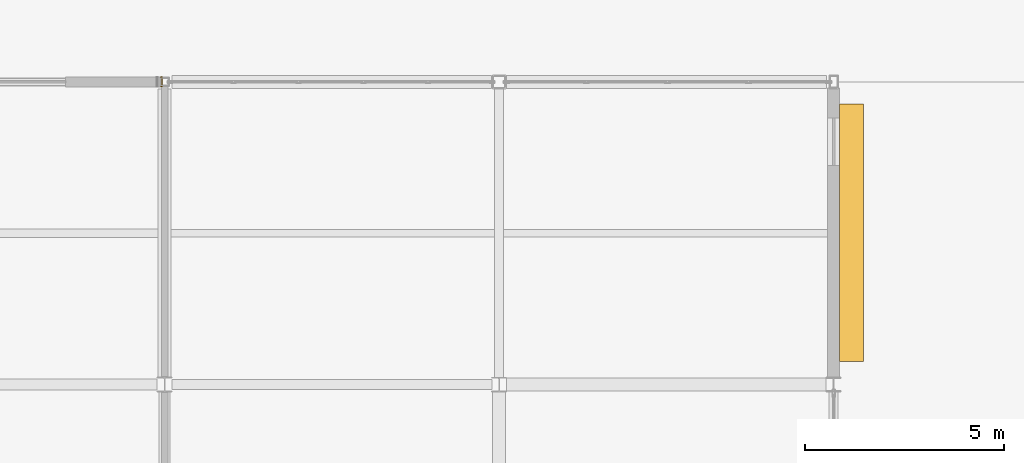
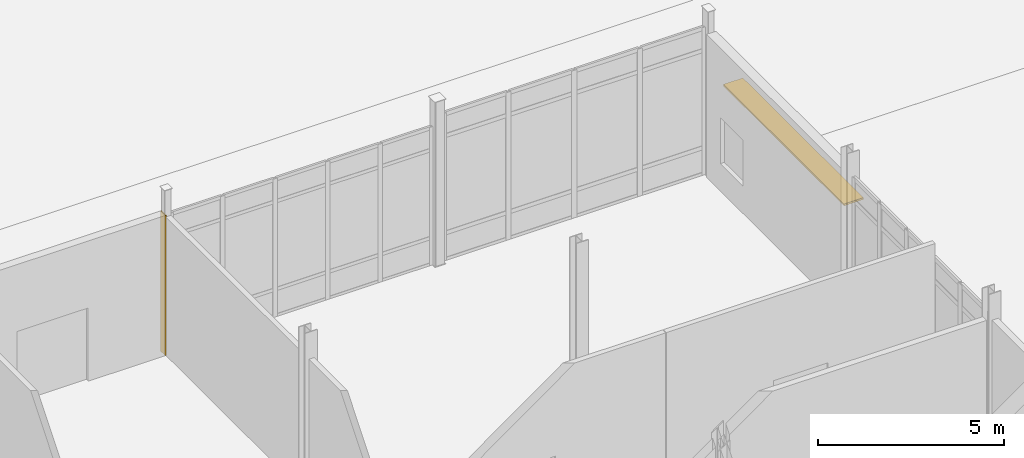
# One storey, part 214 of 229: 1 covering, 1 shading device.
"""IFC4 building model written with IfcOpenShell, lengths in metres."""

from ifc_helpers import new_model, si_unit, direction, frame, origin, origin_2d, place, context, subcontext, project, spatial, polyline, rectangle, outline, extrude, material, layer, layer_set, type_object, element, save


model = new_model("IFC4")

# Units and contexts
model_context = context("Model", 3, precision=1e-05, world=origin(), true_north=direction((0.0, 1.0)))
body_context = subcontext(model_context, "Body", "Model", "MODEL_VIEW")
ifc_project = project(units=[si_unit("LENGTHUNIT", "METRE"), si_unit("AREAUNIT", "SQUARE_METRE"), si_unit("VOLUMEUNIT", "CUBIC_METRE"), si_unit("PLANEANGLEUNIT", "RADIAN"), si_unit("MASSUNIT", "GRAM", prefix="KILO")], contexts=[model_context])

# Site, building, storey
site_placement = place(None, origin())
site = spatial("IfcSite", under=ifc_project, at=site_placement, CompositionType="ELEMENT")
building_placement = place(site_placement, origin())
building = spatial("IfcBuilding", under=site, at=building_placement, Name="Calvrana Isthmian Art Gallery", CompositionType="ELEMENT")
storey_placement = place(building_placement, origin())
storey = spatial("IfcBuildingStorey", under=building, at=storey_placement, Name="L00", CompositionType="ELEMENT", Elevation=0.0)

# Covering
ifc_material_1 = material(Name="Polychrome glazed terracotta", Category="masonry")
ifc_layer_1 = layer(ifc_material_1, 0.0400390625, Name="Polychrome glazed terracotta")
ifc_layer_set_1 = layer_set([ifc_layer_1], Name="Polychrome glazed terracotta")
covering_type = type_object("IfcCoveringType", Name="COV-CLAD-TERRA", PredefinedType="CLADDING", material=ifc_layer_set_1)
covering_placement = place(storey_placement, origin())
element("IfcCovering", 1, at=covering_placement, inside=storey, type_object=covering_type, Name="Column pocket weather closure L00-02-09-E", PredefinedType="CLADDING", context=body_context, shape_type="SweptSolid", body=[
    extrude(outline(polyline([(21.498291015625, 69.47509765625), (21.538330078125, 69.47509765625), (21.538330078125, 69.72509765625), (21.498291015625, 69.72509765625), (21.498291015625, 69.47509765625)])), origin(), (0.0, 0.0, 1.0), 4.591064453125),
])

# Shading device
ifc_material_2 = material(Name="Anodized bronze aluminium 6063-T6", Category="aluminium")
ifc_layer_2 = layer(ifc_material_2, 0.06005859375, Name="Anodized bronze aluminium 6063-T6")
ifc_layer_set_2 = layer_set([ifc_layer_2], Name="Anodized bronze aluminium 6063-T6")
shading_device_type = type_object("IfcShadingDeviceType", Name="SHD-LOUVRE-600", PredefinedType="JALOUSIE", material=ifc_layer_set_2)
shading_device_placement = place(storey_placement, frame((38.847900390625, 65.812744140625, 3.119873046875), z_axis=(0.0, 0.0, 1.0), x_axis=(0.0, -1.0, 0.0)))
element("IfcShadingDevice", 2, at=shading_device_placement, inside=storey, type_object=shading_device_type, Name="Anodized bronze horizontal canopy sunshade LV-10", PredefinedType="JALOUSIE", context=body_context, shape_type="SweptSolid", body=[
    extrude(rectangle(XDim=6.469482421875, YDim=0.60009765625, at=origin_2d()), origin(), (0.0, 0.0, 1.0), 0.06005859375),
])

save(model, "model.ifc")
